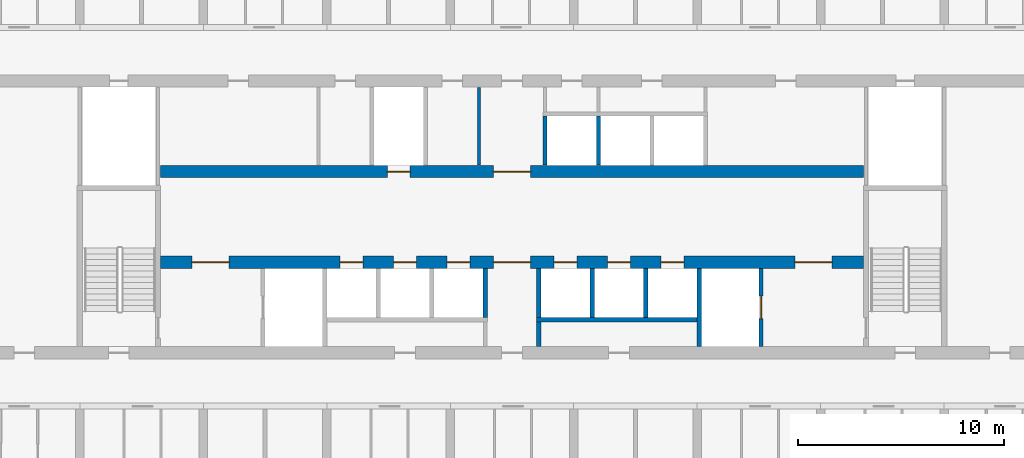
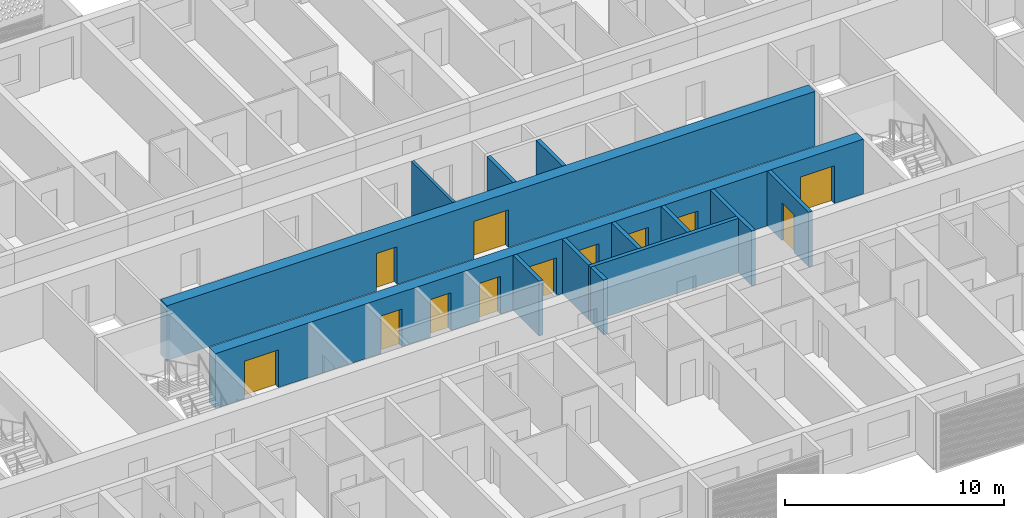
# One storey, part 8 of 40: 13 walls, 12 doors, 12 openings.
"""IFC4 building model written with IfcOpenShell, lengths in metres."""

from ifc_helpers import new_model, si_unit, direction, frame, frame_2d, origin, place, context, subcontext, project, spatial, rectangle, extrude, material, layer, layer_set, type_object, element, fill, save


model = new_model("IFC4")

# Units and contexts
model_context = context("Model", 3, precision=1e-05, world=origin(), true_north=direction((0.0, 1.0)))
body_context = subcontext(model_context, "Body", "Model", "MODEL_VIEW")
ifc_project = project(units=[si_unit("LENGTHUNIT", "METRE"), si_unit("AREAUNIT", "SQUARE_METRE"), si_unit("VOLUMEUNIT", "CUBIC_METRE"), si_unit("PLANEANGLEUNIT", "RADIAN"), si_unit("MASSUNIT", "GRAM", prefix="KILO")], contexts=[model_context])

# Site, building, storey
site_placement = place(None, origin())
site = spatial("IfcSite", under=ifc_project, at=site_placement, CompositionType="ELEMENT")
building_placement = place(site_placement, origin())
building = spatial("IfcBuilding", under=site, at=building_placement, Name="Poui Terraces", CompositionType="ELEMENT")
storey_placement = place(building_placement, frame((0.0, 0.0, 39.89990234375)))
storey = spatial("IfcBuildingStorey", under=building, at=storey_placement, Name="L10", CompositionType="ELEMENT", Elevation=39.89990234375)

# Wall, openings, doors
ifc_material_1 = material(Name="Concrete 80 MPa", Category="concrete")
ifc_layer_1 = layer(ifc_material_1, 0.60009765625)
ifc_layer_set_1 = layer_set([ifc_layer_1], Name="Concrete 80 MPa")
wall_type_1 = type_object("IfcWallType", Name="CORE WALL 600 80 MPA", PredefinedType="SOLIDWALL", material=ifc_layer_set_1)
wall_1_placement = place(storey_placement, frame((33.925048828125, 19.0, 0.0), z_axis=(0.0, 0.0, 1.0), x_axis=(1.0, 0.0, 0.0)))
wall_1 = element("IfcWall", 1, at=wall_1_placement, inside=storey, type_object=wall_type_1, Name="CORE WALL", PredefinedType="SOLIDWALL", context=body_context, shape_type="SweptSolid", body=[
    extrude(rectangle(XDim=34.14990234375, YDim=0.60009765625, at=frame_2d((17.074951171875, 0.0))), origin(), (0.0, 0.0, 1.0), 3.050048828125),
])
opening_1_placement = place(wall_1_placement, frame((16.175048828125, 0.0, 0.0)))
opening_1 = element("IfcOpeningElement", 2, at=opening_1_placement, cuts=wall_1, Name="Opening FDD60", PredefinedType="OPENING", context=body_context, shape_type="SweptSolid", body=[
    extrude(rectangle(XDim=1.800048828125, YDim=2.10009765625, at=frame_2d((0.89990234375, 1.050048828125))), frame((0.0, 0.31005859375, 0.0), z_axis=(0.0, -1.0, 0.0), x_axis=(1.0, 0.0, 0.0)), (0.0, 0.0, 1.0), 0.6201171875),
])
opening_2_placement = place(wall_1_placement, frame((1.52490234375, 0.0, 0.0)))
opening_2 = element("IfcOpeningElement", 3, at=opening_2_placement, cuts=wall_1, Name="Opening FDD60", PredefinedType="OPENING", context=body_context, shape_type="SweptSolid", body=[
    extrude(rectangle(XDim=1.800048828125, YDim=2.10009765625, at=frame_2d((0.89990234375, 1.050048828125))), frame((0.0, 0.31005859375, 0.0), z_axis=(0.0, -1.0, 0.0), x_axis=(1.0, 0.0, 0.0)), (0.0, 0.0, 1.0), 0.6201171875),
])
opening_3_placement = place(wall_1_placement, frame((8.72509765625, 0.0, 0.0)))
opening_3 = element("IfcOpeningElement", 4, at=opening_3_placement, cuts=wall_1, Name="Opening LD", PredefinedType="OPENING", context=body_context, shape_type="SweptSolid", body=[
    extrude(rectangle(XDim=1.10009765625, YDim=2.10009765625, at=frame_2d((0.550048828125, 1.050048828125))), frame((0.0, 0.31005859375, 0.0), z_axis=(0.0, -1.0, 0.0), x_axis=(1.0, 0.0, 0.0)), (0.0, 0.0, 1.0), 0.6201171875),
])
opening_4_placement = place(wall_1_placement, frame((11.324951171875, 0.0, 0.0)))
opening_4 = element("IfcOpeningElement", 5, at=opening_4_placement, cuts=wall_1, Name="Opening LD", PredefinedType="OPENING", context=body_context, shape_type="SweptSolid", body=[
    extrude(rectangle(XDim=1.10009765625, YDim=2.10009765625, at=frame_2d((0.550048828125, 1.050048828125))), frame((0.0, 0.31005859375, 0.0), z_axis=(0.0, -1.0, 0.0), x_axis=(1.0, 0.0, 0.0)), (0.0, 0.0, 1.0), 0.6201171875),
])
opening_5_placement = place(wall_1_placement, frame((13.925048828125, 0.0, 0.0)))
opening_5 = element("IfcOpeningElement", 6, at=opening_5_placement, cuts=wall_1, Name="Opening LD", PredefinedType="OPENING", context=body_context, shape_type="SweptSolid", body=[
    extrude(rectangle(XDim=1.10009765625, YDim=2.10009765625, at=frame_2d((0.550048828125, 1.050048828125))), frame((0.0, 0.31005859375, 0.0), z_axis=(0.0, -1.0, 0.0), x_axis=(1.0, 0.0, 0.0)), (0.0, 0.0, 1.0), 0.6201171875),
])
opening_6_placement = place(wall_1_placement, frame((19.125, 0.0, 0.0)))
opening_6 = element("IfcOpeningElement", 7, at=opening_6_placement, cuts=wall_1, Name="Opening LD", PredefinedType="OPENING", context=body_context, shape_type="SweptSolid", body=[
    extrude(rectangle(XDim=1.10009765625, YDim=2.10009765625, at=frame_2d((0.550048828125, 1.050048828125))), frame((0.0, 0.31005859375, 0.0), z_axis=(0.0, -1.0, 0.0), x_axis=(1.0, 0.0, 0.0)), (0.0, 0.0, 1.0), 0.6201171875),
])
opening_7_placement = place(wall_1_placement, frame((21.72509765625, 0.0, 0.0)))
opening_7 = element("IfcOpeningElement", 8, at=opening_7_placement, cuts=wall_1, Name="Opening LD", PredefinedType="OPENING", context=body_context, shape_type="SweptSolid", body=[
    extrude(rectangle(XDim=1.10009765625, YDim=2.10009765625, at=frame_2d((0.550048828125, 1.050048828125))), frame((0.0, 0.31005859375, 0.0), z_axis=(0.0, -1.0, 0.0), x_axis=(1.0, 0.0, 0.0)), (0.0, 0.0, 1.0), 0.6201171875),
])
opening_8_placement = place(wall_1_placement, frame((24.324951171875, 0.0, 0.0)))
opening_8 = element("IfcOpeningElement", 9, at=opening_8_placement, cuts=wall_1, Name="Opening LD", PredefinedType="OPENING", context=body_context, shape_type="SweptSolid", body=[
    extrude(rectangle(XDim=1.10009765625, YDim=2.10009765625, at=frame_2d((0.550048828125, 1.050048828125))), frame((0.0, 0.31005859375, 0.0), z_axis=(0.0, -1.0, 0.0), x_axis=(1.0, 0.0, 0.0)), (0.0, 0.0, 1.0), 0.6201171875),
])
opening_9_placement = place(wall_1_placement, frame((30.824951171875, 0.0, 0.0)))
opening_9 = element("IfcOpeningElement", 10, at=opening_9_placement, cuts=wall_1, Name="Opening FDD60", PredefinedType="OPENING", context=body_context, shape_type="SweptSolid", body=[
    extrude(rectangle(XDim=1.800048828125, YDim=2.10009765625, at=frame_2d((0.89990234375, 1.050048828125))), frame((0.0, 0.31005859375, 0.0), z_axis=(0.0, -1.0, 0.0), x_axis=(1.0, 0.0, 0.0)), (0.0, 0.0, 1.0), 0.6201171875),
])
ifc_material_2 = material(Name="Steel fire door", Category="steel")
door_type_1 = type_object("IfcDoorType", Name="DOUBLE LOBBY FIRE DOOR 1800 X 2100", OperationType="DOUBLE_DOOR_SINGLE_SWING", PredefinedType="DOOR", material=ifc_material_2)
door_1_placement = place(opening_1_placement, frame((1.800048828125, 0.0, 0.0), z_axis=(0.0, 0.0, 1.0), x_axis=(-1.0, 0.0, 0.0)))
door_1 = element("IfcDoor", 11, at=door_1_placement, inside=storey, type_object=door_type_1, Name="DOUBLE LOBBY FIRE DOOR 154", OperationType="DOUBLE_DOOR_SINGLE_SWING", OverallHeight=2.10009765625, OverallWidth=1.800048828125, PredefinedType="DOOR", context=body_context, shape_type="SweptSolid", body=[
    extrude(rectangle(XDim=1.800048828125, YDim=2.10009765625, at=frame_2d((0.89990234375, 1.050048828125))), frame((0.0, 0.02490234375, 0.0), z_axis=(0.0, -1.0, 0.0), x_axis=(1.0, 0.0, 0.0)), (0.0, 0.0, 1.0), 0.050048828125),
])
fill(opening_1, door_1)
door_2_placement = place(opening_2_placement, origin())
door_2 = element("IfcDoor", 12, at=door_2_placement, inside=storey, type_object=door_type_1, Name="DOUBLE LOBBY FIRE DOOR 155", OperationType="DOUBLE_DOOR_SINGLE_SWING", OverallHeight=2.10009765625, OverallWidth=1.800048828125, PredefinedType="DOOR", context=body_context, shape_type="SweptSolid", body=[
    extrude(rectangle(XDim=1.800048828125, YDim=2.10009765625, at=frame_2d((0.89990234375, 1.050048828125))), frame((0.0, 0.02490234375, 0.0), z_axis=(0.0, -1.0, 0.0), x_axis=(1.0, 0.0, 0.0)), (0.0, 0.0, 1.0), 0.050048828125),
])
fill(opening_2, door_2)
door_3_placement = place(opening_9_placement, origin())
door_3 = element("IfcDoor", 13, at=door_3_placement, inside=storey, type_object=door_type_1, Name="DOUBLE LOBBY FIRE DOOR 163", OperationType="DOUBLE_DOOR_SINGLE_SWING", OverallHeight=2.10009765625, OverallWidth=1.800048828125, PredefinedType="DOOR", context=body_context, shape_type="SweptSolid", body=[
    extrude(rectangle(XDim=1.800048828125, YDim=2.10009765625, at=frame_2d((0.89990234375, 1.050048828125))), frame((0.0, 0.02490234375, 0.0), z_axis=(0.0, -1.0, 0.0), x_axis=(1.0, 0.0, 0.0)), (0.0, 0.0, 1.0), 0.050048828125),
])
fill(opening_9, door_3)
ifc_material_3 = material(Name="Stainless steel sliding door", Category="steel")
door_type_2 = type_object("IfcDoorType", Name="LIFT LANDING DOOR 1100 X 2100", OperationType="DOUBLE_DOOR_SLIDING", PredefinedType="DOOR", material=ifc_material_3)
door_4_placement = place(opening_3_placement, origin())
door_4 = element("IfcDoor", 14, at=door_4_placement, inside=storey, type_object=door_type_2, Name="LANDING DOOR", OperationType="DOUBLE_DOOR_SLIDING", OverallHeight=2.10009765625, OverallWidth=1.10009765625, PredefinedType="DOOR", context=body_context, shape_type="SweptSolid", body=[
    extrude(rectangle(XDim=1.10009765625, YDim=2.10009765625, at=frame_2d((0.550048828125, 1.050048828125))), frame((0.0, 0.02490234375, 0.0), z_axis=(0.0, -1.0, 0.0), x_axis=(1.0, 0.0, 0.0)), (0.0, 0.0, 1.0), 0.050048828125),
])
fill(opening_3, door_4)
door_5_placement = place(opening_4_placement, origin())
door_5 = element("IfcDoor", 15, at=door_5_placement, inside=storey, type_object=door_type_2, Name="LANDING DOOR", OperationType="DOUBLE_DOOR_SLIDING", OverallHeight=2.10009765625, OverallWidth=1.10009765625, PredefinedType="DOOR", context=body_context, shape_type="SweptSolid", body=[
    extrude(rectangle(XDim=1.10009765625, YDim=2.10009765625, at=frame_2d((0.550048828125, 1.050048828125))), frame((0.0, 0.02490234375, 0.0), z_axis=(0.0, -1.0, 0.0), x_axis=(1.0, 0.0, 0.0)), (0.0, 0.0, 1.0), 0.050048828125),
])
fill(opening_4, door_5)
door_6_placement = place(opening_5_placement, origin())
door_6 = element("IfcDoor", 16, at=door_6_placement, inside=storey, type_object=door_type_2, Name="LANDING DOOR", OperationType="DOUBLE_DOOR_SLIDING", OverallHeight=2.10009765625, OverallWidth=1.10009765625, PredefinedType="DOOR", context=body_context, shape_type="SweptSolid", body=[
    extrude(rectangle(XDim=1.10009765625, YDim=2.10009765625, at=frame_2d((0.550048828125, 1.050048828125))), frame((0.0, 0.02490234375, 0.0), z_axis=(0.0, -1.0, 0.0), x_axis=(1.0, 0.0, 0.0)), (0.0, 0.0, 1.0), 0.050048828125),
])
fill(opening_5, door_6)
door_7_placement = place(opening_6_placement, origin())
door_7 = element("IfcDoor", 17, at=door_7_placement, inside=storey, type_object=door_type_2, Name="LANDING DOOR", OperationType="DOUBLE_DOOR_SLIDING", OverallHeight=2.10009765625, OverallWidth=1.10009765625, PredefinedType="DOOR", context=body_context, shape_type="SweptSolid", body=[
    extrude(rectangle(XDim=1.10009765625, YDim=2.10009765625, at=frame_2d((0.550048828125, 1.050048828125))), frame((0.0, 0.02490234375, 0.0), z_axis=(0.0, -1.0, 0.0), x_axis=(1.0, 0.0, 0.0)), (0.0, 0.0, 1.0), 0.050048828125),
])
fill(opening_6, door_7)
door_8_placement = place(opening_7_placement, origin())
door_8 = element("IfcDoor", 18, at=door_8_placement, inside=storey, type_object=door_type_2, Name="LANDING DOOR", OperationType="DOUBLE_DOOR_SLIDING", OverallHeight=2.10009765625, OverallWidth=1.10009765625, PredefinedType="DOOR", context=body_context, shape_type="SweptSolid", body=[
    extrude(rectangle(XDim=1.10009765625, YDim=2.10009765625, at=frame_2d((0.550048828125, 1.050048828125))), frame((0.0, 0.02490234375, 0.0), z_axis=(0.0, -1.0, 0.0), x_axis=(1.0, 0.0, 0.0)), (0.0, 0.0, 1.0), 0.050048828125),
])
fill(opening_7, door_8)
door_9_placement = place(opening_8_placement, origin())
door_9 = element("IfcDoor", 19, at=door_9_placement, inside=storey, type_object=door_type_2, Name="LANDING DOOR", OperationType="DOUBLE_DOOR_SLIDING", OverallHeight=2.10009765625, OverallWidth=1.10009765625, PredefinedType="DOOR", context=body_context, shape_type="SweptSolid", body=[
    extrude(rectangle(XDim=1.10009765625, YDim=2.10009765625, at=frame_2d((0.550048828125, 1.050048828125))), frame((0.0, 0.02490234375, 0.0), z_axis=(0.0, -1.0, 0.0), x_axis=(1.0, 0.0, 0.0)), (0.0, 0.0, 1.0), 0.050048828125),
])
fill(opening_8, door_9)

wall_2_placement = place(storey_placement, frame((33.925048828125, 23.39990234375, 0.0), z_axis=(0.0, 0.0, 1.0), x_axis=(1.0, 0.0, 0.0)))
wall_2 = element("IfcWall", 20, at=wall_2_placement, inside=storey, type_object=wall_type_1, Name="CORE WALL", PredefinedType="SOLIDWALL", context=body_context, shape_type="SweptSolid", body=[
    extrude(rectangle(XDim=34.14990234375, YDim=0.60009765625, at=frame_2d((17.074951171875, 0.0))), origin(), (0.0, 0.0, 1.0), 3.050048828125),
])
opening_10_placement = place(wall_2_placement, frame((16.175048828125, 0.0, 0.0)))
opening_10 = element("IfcOpeningElement", 21, at=opening_10_placement, cuts=wall_2, Name="Opening FDD60", PredefinedType="OPENING", context=body_context, shape_type="SweptSolid", body=[
    extrude(rectangle(XDim=1.800048828125, YDim=2.10009765625, at=frame_2d((0.89990234375, 1.050048828125))), frame((0.0, 0.31005859375, 0.0), z_axis=(0.0, -1.0, 0.0), x_axis=(1.0, 0.0, 0.0)), (0.0, 0.0, 1.0), 0.6201171875),
])
opening_11_placement = place(wall_2_placement, frame((11.02490234375, 0.0, 0.0)))
opening_11 = element("IfcOpeningElement", 22, at=opening_11_placement, cuts=wall_2, Name="Opening LD", PredefinedType="OPENING", context=body_context, shape_type="SweptSolid", body=[
    extrude(rectangle(XDim=1.10009765625, YDim=2.10009765625, at=frame_2d((0.550048828125, 1.050048828125))), frame((0.0, 0.31005859375, 0.0), z_axis=(0.0, -1.0, 0.0), x_axis=(1.0, 0.0, 0.0)), (0.0, 0.0, 1.0), 0.6201171875),
])
door_10_placement = place(opening_10_placement, origin())
door_10 = element("IfcDoor", 23, at=door_10_placement, inside=storey, type_object=door_type_1, Name="DOUBLE LOBBY FIRE DOOR 153", OperationType="DOUBLE_DOOR_SINGLE_SWING", OverallHeight=2.10009765625, OverallWidth=1.800048828125, PredefinedType="DOOR", context=body_context, shape_type="SweptSolid", body=[
    extrude(rectangle(XDim=1.800048828125, YDim=2.10009765625, at=frame_2d((0.89990234375, 1.050048828125))), frame((0.0, 0.02490234375, 0.0), z_axis=(0.0, -1.0, 0.0), x_axis=(1.0, 0.0, 0.0)), (0.0, 0.0, 1.0), 0.050048828125),
])
fill(opening_10, door_10)
door_11_placement = place(opening_11_placement, origin())
door_11 = element("IfcDoor", 24, at=door_11_placement, inside=storey, type_object=door_type_2, Name="LANDING DOOR", OperationType="DOUBLE_DOOR_SLIDING", OverallHeight=2.10009765625, OverallWidth=1.10009765625, PredefinedType="DOOR", context=body_context, shape_type="SweptSolid", body=[
    extrude(rectangle(XDim=1.10009765625, YDim=2.10009765625, at=frame_2d((0.550048828125, 1.050048828125))), frame((0.0, 0.02490234375, 0.0), z_axis=(0.0, -1.0, 0.0), x_axis=(1.0, 0.0, 0.0)), (0.0, 0.0, 1.0), 0.050048828125),
])
fill(opening_11, door_11)

# Walls
ifc_material_4 = material(Name="Fire-rated plasterboard wall")
ifc_layer_2 = layer(ifc_material_4, 0.14990234375)
ifc_layer_set_2 = layer_set([ifc_layer_2], Name="Fire-rated plasterboard wall")
wall_type_2 = type_object("IfcWallType", Name="CORRIDOR WALL 150", PredefinedType="PARTITIONING", material=ifc_layer_set_2)
wall_3_placement = place(storey_placement, frame((49.39990234375, 23.7099609375, 0.0), z_axis=(0.0, 0.0, 1.0), x_axis=(0.0, 1.0, 0.0)))
element("IfcWall", 25, at=wall_3_placement, inside=storey, type_object=wall_type_2, Name="CORRIDOR WALL 150", PredefinedType="PARTITIONING", context=body_context, shape_type="SweptSolid", body=[
    extrude(rectangle(XDim=3.780029296875, YDim=0.14990234375, at=frame_2d((1.89013671875, 0.0))), origin(), (0.0, 0.0, 1.0), 3.050048828125),
])
ifc_material_5 = material(Name="Fire-rated masonry wall", Category="masonry")
ifc_layer_3 = layer(ifc_material_5, 0.199951171875)
ifc_layer_set_3 = layer_set([ifc_layer_3], Name="Fire-rated masonry wall")
wall_type_3 = type_object("IfcWallType", Name="PLANT ROOM WALL 200", PredefinedType="PARTITIONING", material=ifc_layer_set_3)
wall_4_placement = place(storey_placement, frame((52.300048828125, 14.909912109375, 0.0), z_axis=(0.0, 0.0, 1.0), x_axis=(0.0, 1.0, 0.0)))
element("IfcWall", 26, at=wall_4_placement, inside=storey, type_object=wall_type_3, Name="PLANT ROOM WALL 200", PredefinedType="PARTITIONING", context=body_context, shape_type="SweptSolid", body=[
    extrude(rectangle(XDim=1.190185546875, YDim=0.199951171875, at=frame_2d((0.59521484375, 0.0))), origin(), (0.0, 0.0, 1.0), 3.050048828125),
])
ifc_material_6 = material(Name="Fire-rated masonry shaft wall", Category="masonry")
ifc_layer_4 = layer(ifc_material_6, 0.199951171875)
ifc_layer_set_4 = layer_set([ifc_layer_4], Name="Fire-rated masonry shaft wall")
wall_type_4 = type_object("IfcWallType", Name="SHAFT WALL 200", PredefinedType="PARTITIONING", material=ifc_layer_set_4)
wall_5_placement = place(storey_placement, frame((52.199951171875, 16.199951171875, 0.0), z_axis=(0.0, 0.0, 1.0), x_axis=(1.0, 0.0, 0.0)))
element("IfcWall", 27, at=wall_5_placement, inside=storey, type_object=wall_type_4, Name="SHAFT WALL 200", PredefinedType="PARTITIONING", context=body_context, shape_type="SweptSolid", body=[
    extrude(rectangle(XDim=7.800048828125, YDim=0.199951171875, at=frame_2d((3.89990234375, 0.0))), origin(), (0.0, 0.0, 1.0), 3.050048828125),
])
for number, where, z_axis, x_axis, name in (
    (28, (49.699951171875, 16.300048828125, 0.0), (0.0, 0.0, 1.0), (0.0, 1.0, 0.0), "SHAFT WALL 200"),
    (29, (52.300048828125, 16.300048828125, 0.0), (0.0, 0.0, 1.0), (0.0, 1.0, 0.0), "SHAFT WALL 200"),
):
    element("IfcWall", number, at=place(storey_placement, frame(where, z_axis=z_axis, x_axis=x_axis)), inside=storey, type_object=wall_type_4, Name=name, PredefinedType="PARTITIONING", context=body_context, shape_type="SweptSolid", body=[
        extrude(rectangle(XDim=2.389892578125, YDim=0.199951171875, at=frame_2d((1.19482421875, 0.0))), origin(), (0.0, 0.0, 1.0), 3.050048828125),
    ])
wall_6_placement = place(storey_placement, frame((52.60009765625, 23.7099609375, 0.0), z_axis=(0.0, 0.0, 1.0), x_axis=(0.0, 1.0, 0.0)))
element("IfcWall", 30, at=wall_6_placement, inside=storey, type_object=wall_type_4, Name="SHAFT WALL 200", PredefinedType="PARTITIONING", context=body_context, shape_type="SweptSolid", body=[
    extrude(rectangle(XDim=2.39013671875, YDim=0.199951171875, at=frame_2d((1.195068359375, 0.0))), origin(), (0.0, 0.0, 1.0), 3.050048828125),
])
wall_7_placement = place(storey_placement, frame((54.89990234375, 16.300048828125, 0.0), z_axis=(0.0, 0.0, 1.0), x_axis=(0.0, 1.0, 0.0)))
element("IfcWall", 31, at=wall_7_placement, inside=storey, type_object=wall_type_4, Name="SHAFT WALL 200", PredefinedType="PARTITIONING", context=body_context, shape_type="SweptSolid", body=[
    extrude(rectangle(XDim=2.389892578125, YDim=0.199951171875, at=frame_2d((1.19482421875, 0.0))), origin(), (0.0, 0.0, 1.0), 3.050048828125),
])
wall_8_placement = place(storey_placement, frame((55.199951171875, 23.7099609375, 0.0), z_axis=(0.0, 0.0, 1.0), x_axis=(0.0, 1.0, 0.0)))
element("IfcWall", 32, at=wall_8_placement, inside=storey, type_object=wall_type_4, Name="SHAFT WALL 200", PredefinedType="PARTITIONING", context=body_context, shape_type="SweptSolid", body=[
    extrude(rectangle(XDim=2.39013671875, YDim=0.199951171875, at=frame_2d((1.195068359375, 0.0))), origin(), (0.0, 0.0, 1.0), 3.050048828125),
])
wall_9_placement = place(storey_placement, frame((57.5, 16.300048828125, 0.0), z_axis=(0.0, 0.0, 1.0), x_axis=(0.0, 1.0, 0.0)))
element("IfcWall", 33, at=wall_9_placement, inside=storey, type_object=wall_type_4, Name="SHAFT WALL 200", PredefinedType="PARTITIONING", context=body_context, shape_type="SweptSolid", body=[
    extrude(rectangle(XDim=2.389892578125, YDim=0.199951171875, at=frame_2d((1.19482421875, 0.0))), origin(), (0.0, 0.0, 1.0), 3.050048828125),
])
wall_10_placement = place(storey_placement, frame((60.10009765625, 14.909912109375, 0.0), z_axis=(0.0, 0.0, 1.0), x_axis=(0.0, 1.0, 0.0)))
element("IfcWall", 34, at=wall_10_placement, inside=storey, type_object=wall_type_4, Name="SHAFT WALL 200", PredefinedType="PARTITIONING", context=body_context, shape_type="SweptSolid", body=[
    extrude(rectangle(XDim=3.780029296875, YDim=0.199951171875, at=frame_2d((1.89013671875, 0.0))), origin(), (0.0, 0.0, 1.0), 3.050048828125),
])

# Wall, opening, door
wall_11_placement = place(storey_placement, frame((63.10009765625, 14.909912109375, 0.0), z_axis=(0.0, 0.0, 1.0), x_axis=(0.0, 1.0, 0.0)))
wall_11 = element("IfcWall", 35, at=wall_11_placement, inside=storey, type_object=wall_type_4, Name="SHAFT WALL 200", PredefinedType="PARTITIONING", context=body_context, shape_type="SweptSolid", body=[
    extrude(rectangle(XDim=3.780029296875, YDim=0.199951171875, at=frame_2d((1.89013671875, 0.0))), origin(), (0.0, 0.0, 1.0), 3.050048828125),
])
opening_12_placement = place(wall_11_placement, frame((1.340087890625, 0.0, 0.0)))
opening_12 = element("IfcOpeningElement", 36, at=opening_12_placement, cuts=wall_11, Name="Opening LD", PredefinedType="OPENING", context=body_context, shape_type="SweptSolid", body=[
    extrude(rectangle(XDim=1.10009765625, YDim=2.10009765625, at=frame_2d((0.550048828125, 1.050048828125))), frame((0.0, 0.10986328125, 0.0), z_axis=(0.0, -1.0, 0.0), x_axis=(1.0, 0.0, 0.0)), (0.0, 0.0, 1.0), 0.219970703125),
])
door_12_placement = place(opening_12_placement, origin())
door_12 = element("IfcDoor", 37, at=door_12_placement, inside=storey, type_object=door_type_2, Name="LANDING DOOR", OperationType="DOUBLE_DOOR_SLIDING", OverallHeight=2.10009765625, OverallWidth=1.10009765625, PredefinedType="DOOR", context=body_context, shape_type="SweptSolid", body=[
    extrude(rectangle(XDim=1.10009765625, YDim=2.10009765625, at=frame_2d((0.550048828125, 1.050048828125))), frame((0.0, 0.02490234375, 0.0), z_axis=(0.0, -1.0, 0.0), x_axis=(1.0, 0.0, 0.0)), (0.0, 0.0, 1.0), 0.050048828125),
])
fill(opening_12, door_12)

save(model, "model.ifc")
